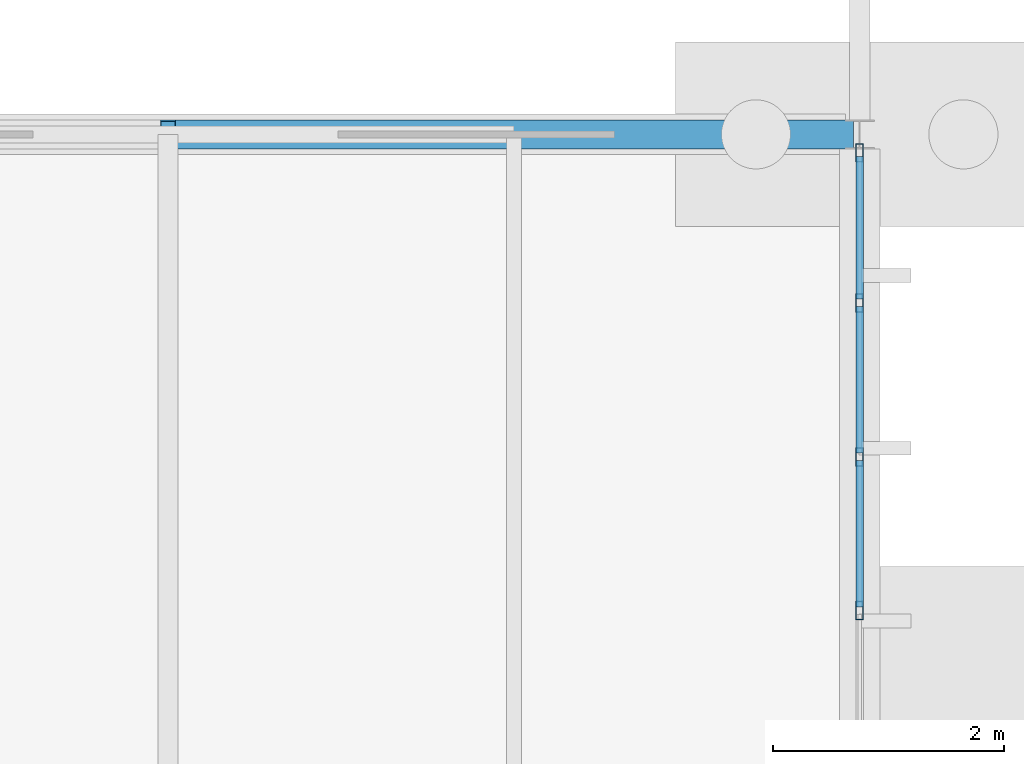
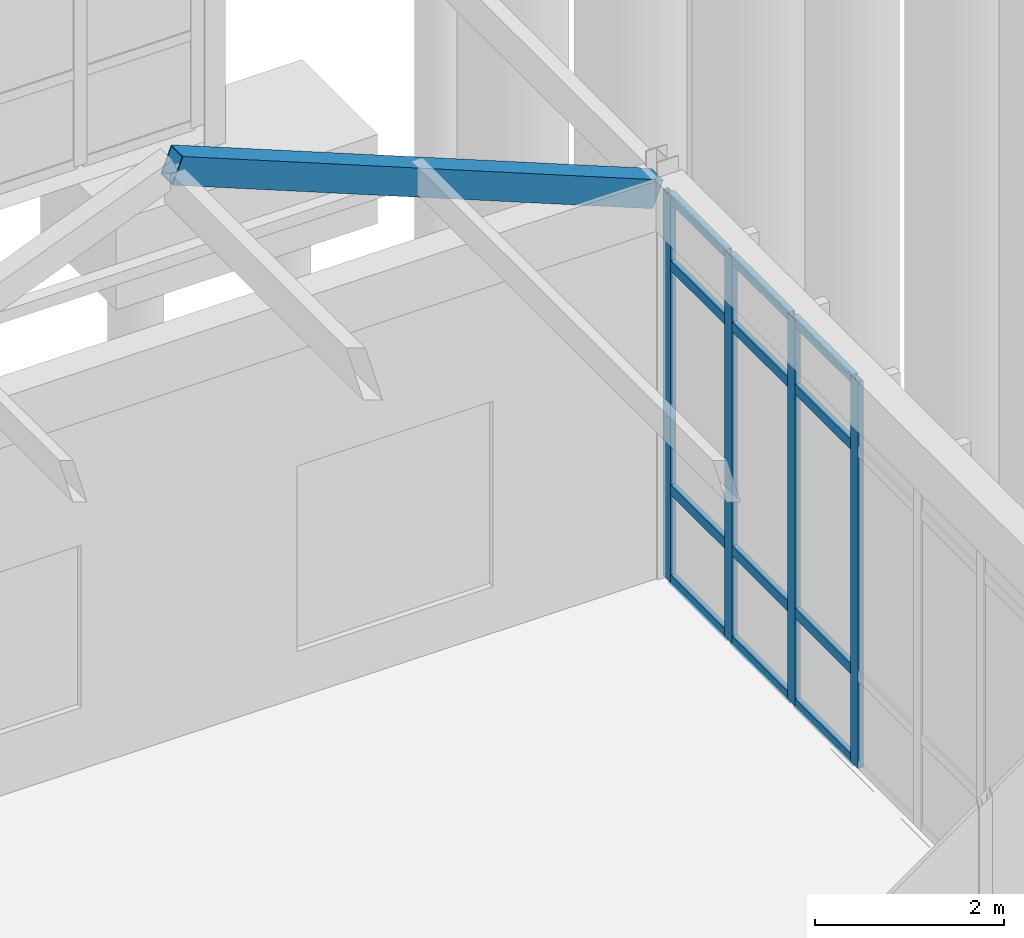
# One storey, part 67 of 188: 17 members, 1 element without a shape of its own.
"""IFC4 building model written with IfcOpenShell, lengths in metres."""

from ifc_helpers import new_model, si_unit, direction, frame, origin, origin_2d, place, context, subcontext, project, spatial, hollow_rectangle, extrude, material, layer, layer_set, material_profile, profile_set, type_object, element, aggregate, save


model = new_model("IFC4")

# Units and contexts
model_context = context("Model", 3, precision=1e-05, world=origin(), true_north=direction((0.0, 1.0)))
body_context = subcontext(model_context, "Body", "Model", "MODEL_VIEW")
ifc_project = project(units=[si_unit("LENGTHUNIT", "METRE"), si_unit("AREAUNIT", "SQUARE_METRE"), si_unit("VOLUMEUNIT", "CUBIC_METRE"), si_unit("PLANEANGLEUNIT", "RADIAN"), si_unit("MASSUNIT", "GRAM", prefix="KILO")], contexts=[model_context])

# Site, building, storey
site_placement = place(None, origin())
site = spatial("IfcSite", under=ifc_project, at=site_placement, CompositionType="ELEMENT")
building_placement = place(site_placement, origin())
building = spatial("IfcBuilding", under=site, at=building_placement, Name="Pandanus Reach Market Hall", CompositionType="ELEMENT")
storey_placement = place(building_placement, origin())
storey = spatial("IfcBuildingStorey", under=building, at=storey_placement, Name="L00", CompositionType="ELEMENT", Elevation=0.0)

# Curtain wall, members
ifc_material_1 = material(Name="Bronze anodised aluminium and low-E glass", Category="aluminium")
ifc_layer = layer(ifc_material_1, 0.159912109375, Name="CW-08")
ifc_layer_set = layer_set([ifc_layer], Name="Bronze anodised aluminium and low-E glass")
curtain_wall_type = type_object("IfcCurtainWallType", Name="CW-08", PredefinedType="NOTDEFINED", material=ifc_layer_set)
curtain_wall_placement = place(storey_placement, origin())
curtain_wall = element("IfcCurtainWall", 1, at=curtain_wall_placement, inside=storey, type_object=curtain_wall_type, Name="Glazed curtain wall CW-08 CW-0043", PredefinedType="NOTDEFINED")
ifc_material_2 = material(Name="Bronze anodised aluminium", Category="aluminium")
ifc_material_profile_1 = material_profile(ifc_material_2, hollow_rectangle(XDim=0.06494140625, YDim=0.159912109375, WallThickness=0.00390625, at=origin_2d()), Name="ALU65x160", Category="LoadBearing")
ifc_profile_set_1 = profile_set([ifc_material_profile_1], Name="Bronze anodised aluminium")
member_type_1 = type_object("IfcMemberType", Name="CW-M1", PredefinedType="MULLION", material=ifc_profile_set_1)
member_1_placement = place(storey_placement, frame((36.0, 63.067626953125, 0.0), z_axis=(0.0, 0.0, 1.0), x_axis=(-1.0, 0.0, 0.0)))
member_1 = element("IfcMember", 2, at=member_1_placement, type_object=member_type_1, Name="CW-08 mullion 5", PredefinedType="MULLION", context=body_context, shape_type="SweptSolid", body=[
    extrude(hollow_rectangle(XDim=0.06494140625, YDim=0.159912109375, WallThickness=0.00390625, at=origin_2d()), origin(), (0.0, 0.0, 1.0), 5.0),
])
member_2_placement = place(storey_placement, frame((36.0, 64.40283203125, 0.0), z_axis=(0.0, 0.0, 1.0), x_axis=(-1.0, 0.0, 0.0)))
member_2 = element("IfcMember", 3, at=member_2_placement, type_object=member_type_1, Name="CW-08 mullion 6", PredefinedType="MULLION", context=body_context, shape_type="SweptSolid", body=[
    extrude(hollow_rectangle(XDim=0.06494140625, YDim=0.159912109375, WallThickness=0.00390625, at=origin_2d()), origin(), (0.0, 0.0, 1.0), 5.0),
])
member_3_placement = place(storey_placement, frame((36.0, 65.73779296875, 0.0), z_axis=(0.0, 0.0, 1.0), x_axis=(-1.0, 0.0, 0.0)))
member_3 = element("IfcMember", 4, at=member_3_placement, type_object=member_type_1, Name="CW-08 mullion 7", PredefinedType="MULLION", context=body_context, shape_type="SweptSolid", body=[
    extrude(hollow_rectangle(XDim=0.06494140625, YDim=0.159912109375, WallThickness=0.00390625, at=origin_2d()), origin(), (0.0, 0.0, 1.0), 5.0),
])
member_4_placement = place(storey_placement, frame((36.0, 67.04052734375, 0.0), z_axis=(0.0, 0.0, 1.0), x_axis=(-1.0, 0.0, 0.0)))
member_4 = element("IfcMember", 5, at=member_4_placement, type_object=member_type_1, Name="CW-08 mullion 8", PredefinedType="MULLION", context=body_context, shape_type="SweptSolid", body=[
    extrude(hollow_rectangle(XDim=0.06494140625, YDim=0.159912109375, WallThickness=0.00390625, at=origin_2d()), origin(), (0.0, 0.0, 1.0), 5.0),
])
ifc_material_profile_2 = material_profile(ifc_material_2, hollow_rectangle(XDim=0.06494140625, YDim=0.1298828125, WallThickness=0.00390625, at=origin_2d()), Name="ALU65x130", Category="LoadBearing")
ifc_profile_set_2 = profile_set([ifc_material_profile_2], Name="Bronze anodised aluminium")
member_type_2 = type_object("IfcMemberType", Name="CW-T1", PredefinedType="USERDEFINED", material=ifc_profile_set_2)
member_5_placement = place(storey_placement, frame((36.0, 63.10009765625, 0.032470703125), z_axis=(0.0, 1.0, 0.0), x_axis=(-1.0, 0.0, 0.0)))
member_5 = element("IfcMember", 6, at=member_5_placement, type_object=member_type_2, Name="CW-08 transom 5.1", ObjectType="TRANSOM", PredefinedType="USERDEFINED", context=body_context, shape_type="SweptSolid", body=[
    extrude(hollow_rectangle(XDim=0.06494140625, YDim=0.1298828125, WallThickness=0.00390625, at=origin_2d()), origin(), (0.0, 0.0, 1.0), 1.27001953125),
])
member_6_placement = place(storey_placement, frame((36.0, 63.10009765625, 1.199951171875), z_axis=(0.0, 1.0, 0.0), x_axis=(-1.0, 0.0, 0.0)))
member_6 = element("IfcMember", 7, at=member_6_placement, type_object=member_type_2, Name="CW-08 transom 5.2", ObjectType="TRANSOM", PredefinedType="USERDEFINED", context=body_context, shape_type="SweptSolid", body=[
    extrude(hollow_rectangle(XDim=0.06494140625, YDim=0.1298828125, WallThickness=0.00390625, at=origin_2d()), origin(), (0.0, 0.0, 1.0), 1.27001953125),
])
member_7_placement = place(storey_placement, frame((36.0, 63.10009765625, 4.10009765625), z_axis=(0.0, 1.0, 0.0), x_axis=(-1.0, 0.0, 0.0)))
member_7 = element("IfcMember", 8, at=member_7_placement, type_object=member_type_2, Name="CW-08 transom 5.3", ObjectType="TRANSOM", PredefinedType="USERDEFINED", context=body_context, shape_type="SweptSolid", body=[
    extrude(hollow_rectangle(XDim=0.06494140625, YDim=0.1298828125, WallThickness=0.00390625, at=origin_2d()), origin(), (0.0, 0.0, 1.0), 1.27001953125),
])
member_8_placement = place(storey_placement, frame((36.0, 63.10009765625, 4.967529296875), z_axis=(0.0, 1.0, 0.0), x_axis=(-1.0, 0.0, 0.0)))
member_8 = element("IfcMember", 9, at=member_8_placement, type_object=member_type_2, Name="CW-08 transom 5.4", ObjectType="TRANSOM", PredefinedType="USERDEFINED", context=body_context, shape_type="SweptSolid", body=[
    extrude(hollow_rectangle(XDim=0.06494140625, YDim=0.1298828125, WallThickness=0.00390625, at=origin_2d()), origin(), (0.0, 0.0, 1.0), 1.27001953125),
])
member_9_placement = place(storey_placement, frame((36.0, 64.435302734375, 0.032470703125), z_axis=(0.0, 1.0, 0.0), x_axis=(-1.0, 0.0, 0.0)))
member_9 = element("IfcMember", 10, at=member_9_placement, type_object=member_type_2, Name="CW-08 transom 6.1", ObjectType="TRANSOM", PredefinedType="USERDEFINED", context=body_context, shape_type="SweptSolid", body=[
    extrude(hollow_rectangle(XDim=0.06494140625, YDim=0.1298828125, WallThickness=0.00390625, at=origin_2d()), origin(), (0.0, 0.0, 1.0), 1.27001953125),
])
member_10_placement = place(storey_placement, frame((36.0, 64.435302734375, 1.199951171875), z_axis=(0.0, 1.0, 0.0), x_axis=(-1.0, 0.0, 0.0)))
member_10 = element("IfcMember", 11, at=member_10_placement, type_object=member_type_2, Name="CW-08 transom 6.2", ObjectType="TRANSOM", PredefinedType="USERDEFINED", context=body_context, shape_type="SweptSolid", body=[
    extrude(hollow_rectangle(XDim=0.06494140625, YDim=0.1298828125, WallThickness=0.00390625, at=origin_2d()), origin(), (0.0, 0.0, 1.0), 1.27001953125),
])
member_11_placement = place(storey_placement, frame((36.0, 64.435302734375, 4.10009765625), z_axis=(0.0, 1.0, 0.0), x_axis=(-1.0, 0.0, 0.0)))
member_11 = element("IfcMember", 12, at=member_11_placement, type_object=member_type_2, Name="CW-08 transom 6.3", ObjectType="TRANSOM", PredefinedType="USERDEFINED", context=body_context, shape_type="SweptSolid", body=[
    extrude(hollow_rectangle(XDim=0.06494140625, YDim=0.1298828125, WallThickness=0.00390625, at=origin_2d()), origin(), (0.0, 0.0, 1.0), 1.27001953125),
])
member_12_placement = place(storey_placement, frame((36.0, 64.435302734375, 4.967529296875), z_axis=(0.0, 1.0, 0.0), x_axis=(-1.0, 0.0, 0.0)))
member_12 = element("IfcMember", 13, at=member_12_placement, type_object=member_type_2, Name="CW-08 transom 6.4", ObjectType="TRANSOM", PredefinedType="USERDEFINED", context=body_context, shape_type="SweptSolid", body=[
    extrude(hollow_rectangle(XDim=0.06494140625, YDim=0.1298828125, WallThickness=0.00390625, at=origin_2d()), origin(), (0.0, 0.0, 1.0), 1.27001953125),
])
member_13_placement = place(storey_placement, frame((36.0, 65.770263671875, 0.032470703125), z_axis=(0.0, 1.0, 0.0), x_axis=(-1.0, 0.0, 0.0)))
member_13 = element("IfcMember", 14, at=member_13_placement, type_object=member_type_2, Name="CW-08 transom 7.1", ObjectType="TRANSOM", PredefinedType="USERDEFINED", context=body_context, shape_type="SweptSolid", body=[
    extrude(hollow_rectangle(XDim=0.06494140625, YDim=0.1298828125, WallThickness=0.00390625, at=origin_2d()), origin(), (0.0, 0.0, 1.0), 1.23779296875),
])
member_14_placement = place(storey_placement, frame((36.0, 65.770263671875, 1.199951171875), z_axis=(0.0, 1.0, 0.0), x_axis=(-1.0, 0.0, 0.0)))
member_14 = element("IfcMember", 15, at=member_14_placement, type_object=member_type_2, Name="CW-08 transom 7.2", ObjectType="TRANSOM", PredefinedType="USERDEFINED", context=body_context, shape_type="SweptSolid", body=[
    extrude(hollow_rectangle(XDim=0.06494140625, YDim=0.1298828125, WallThickness=0.00390625, at=origin_2d()), origin(), (0.0, 0.0, 1.0), 1.23779296875),
])
member_15_placement = place(storey_placement, frame((36.0, 65.770263671875, 4.10009765625), z_axis=(0.0, 1.0, 0.0), x_axis=(-1.0, 0.0, 0.0)))
member_15 = element("IfcMember", 16, at=member_15_placement, type_object=member_type_2, Name="CW-08 transom 7.3", ObjectType="TRANSOM", PredefinedType="USERDEFINED", context=body_context, shape_type="SweptSolid", body=[
    extrude(hollow_rectangle(XDim=0.06494140625, YDim=0.1298828125, WallThickness=0.00390625, at=origin_2d()), origin(), (0.0, 0.0, 1.0), 1.23779296875),
])
member_16_placement = place(storey_placement, frame((36.0, 65.770263671875, 4.967529296875), z_axis=(0.0, 1.0, 0.0), x_axis=(-1.0, 0.0, 0.0)))
member_16 = element("IfcMember", 17, at=member_16_placement, type_object=member_type_2, Name="CW-08 transom 7.4", ObjectType="TRANSOM", PredefinedType="USERDEFINED", context=body_context, shape_type="SweptSolid", body=[
    extrude(hollow_rectangle(XDim=0.06494140625, YDim=0.1298828125, WallThickness=0.00390625, at=origin_2d()), origin(), (0.0, 0.0, 1.0), 1.23779296875),
])
aggregate(curtain_wall, [member_1, member_2, member_3, member_4, member_5, member_6, member_7, member_8, member_9, member_10, member_11, member_12, member_13, member_14, member_15, member_16])

# Member
ifc_material_3 = material(Name="Steel Grade 350 (350 MPa)", Category="steel")
ifc_material_profile_3 = material_profile(ifc_material_3, hollow_rectangle(XDim=0.25, YDim=0.35009765625, WallThickness=0.012451171875, at=origin_2d()), Name="350x250x12.5RHS", Category="LoadBearing")
ifc_profile_set_3 = profile_set([ifc_material_profile_3], Name="Steel Grade 350 (350 MPa)")
member_type_3 = type_object("IfcMemberType", Name="RF-RHS350-E", PredefinedType="RAFTER", material=ifc_profile_set_3)
member_17_placement = place(storey_placement, frame((30.0, 67.199951171875, 7.3486328125), z_axis=(0.927845665363, 0.0, -0.372964369971), x_axis=(0.0, 1.0, 0.0)))
element("IfcMember", 18, at=member_17_placement, inside=storey, type_object=member_type_3, Name="Steep gable rafter R2.B3E", PredefinedType="RAFTER", context=body_context, shape_type="SweptSolid", body=[
    extrude(hollow_rectangle(XDim=0.25, YDim=0.35009765625, WallThickness=0.012451171875, at=origin_2d()), origin(), (0.0, 0.0, 1.0), 6.337158203125),
])

save(model, "model.ifc")
